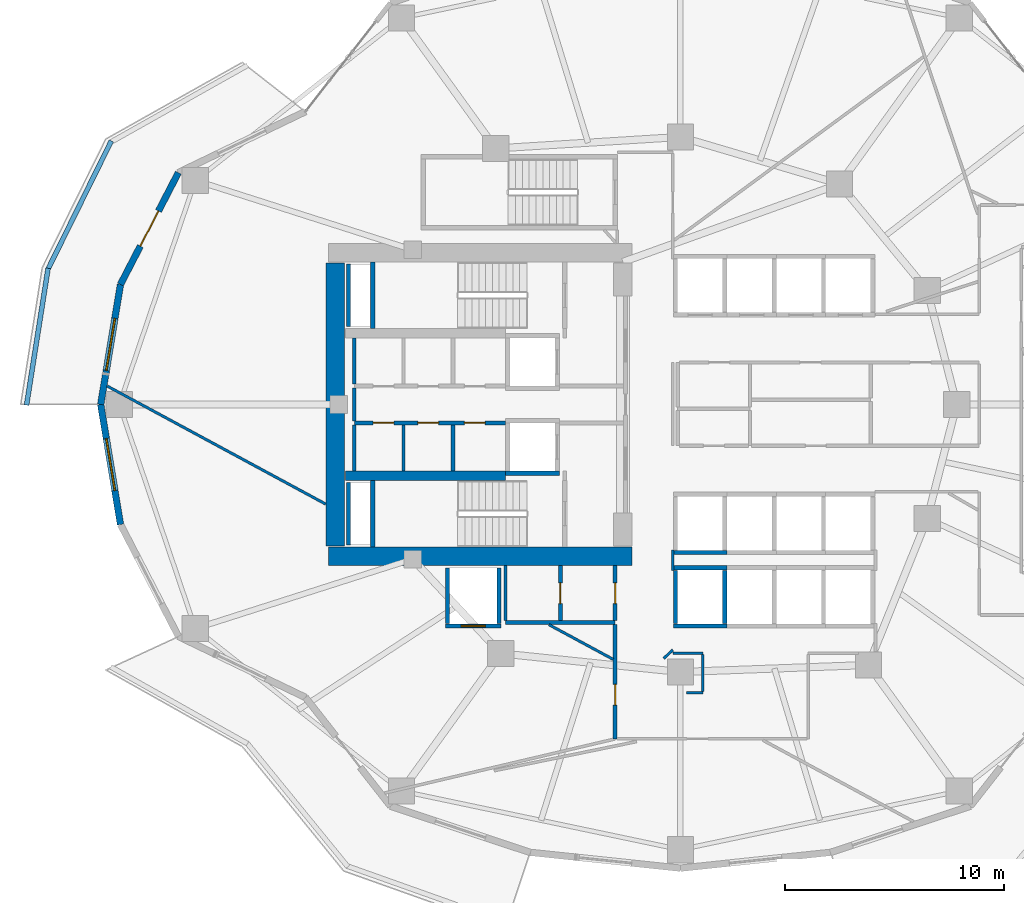
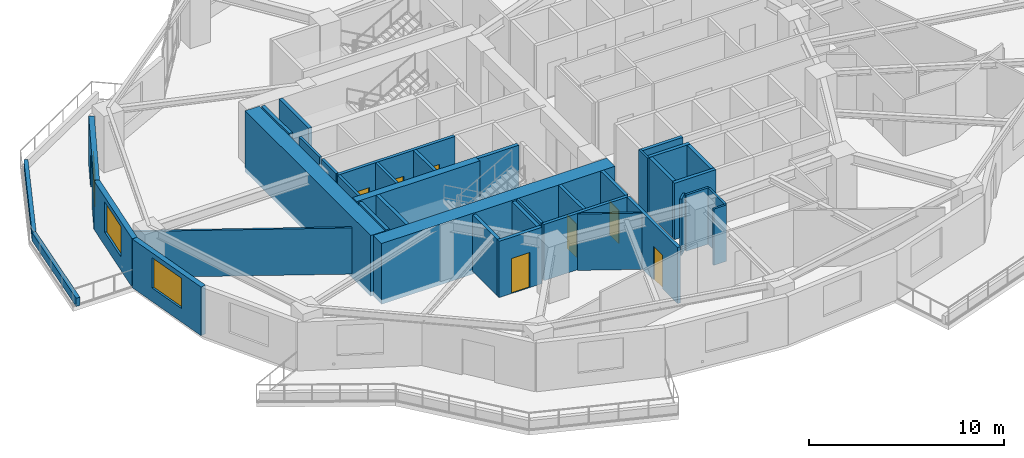
# One storey, part 5 of 12: 39 walls, 8 doors, 2 windows, 10 openings.
"""IFC4 building model written with IfcOpenShell, lengths in metres."""

import ifcopenshell
import ifcopenshell.guid

model = None  # the IFC model being written
_history = None  # IfcOwnerHistory: only IFC2X3 demands one
_inside = {}  # id of a spatial element -> (the spatial element, [elements in it])
_under = {}  # id of a project, library or spatial element -> (it, [spatial elements below it])
_declared = {}  # id of a project -> (the project, [libraries it declares])
_typed = {}  # id of a type object -> (the type object, [elements of that type])
_made_of = {}  # id of a material, layer set ... -> (it, [elements and type objects made of it])


def new_model(schema):
    """Start an empty IFC model of exactly this schema.

    Asked for "IFC4X3", IfcOpenShell would pick the latest addendum, in which some entities
    have other attributes; the version numbers below select the first issue.
    IFC2X3 requires an IfcOwnerHistory on every rooted entity: one is made here for all.
    """
    global model, _history
    if schema == "IFC4X3":
        model = ifcopenshell.file(schema_version=(4, 3, 0, 0))
    else:
        model = ifcopenshell.file(schema=schema)
    _inside.clear()
    _under.clear()
    _declared.clear()
    _typed.clear()
    _made_of.clear()
    _history = None
    if model.schema == "IFC2X3":
        org = make("IfcOrganization", Name="unknown")
        user = make(
            "IfcPersonAndOrganization",
            ThePerson=make("IfcPerson", FamilyName="unknown"),
            TheOrganization=org,
        )
        app = make(
            "IfcApplication",
            ApplicationDeveloper=org,
            Version="unknown",
            ApplicationFullName="unknown",
            ApplicationIdentifier="unknown",
        )
        _history = make(
            "IfcOwnerHistory",
            OwningUser=user,
            OwningApplication=app,
            ChangeAction="ADDED",
            CreationDate=0,
        )
    return model


def make(cls, **values):
    """One entity of the class cls with the attributes given. An attribute that is None is left unset."""
    return model.create_entity(
        cls, **{name: value for name, value in values.items() if value is not None}
    )


def rooted(cls, **values):
    """An entity with a GlobalId (a new one), such as an element, a storey or a relation."""
    return make(cls, GlobalId=ifcopenshell.guid.new(), OwnerHistory=_history, **values)


def si_unit(unit_type, name, prefix=None):
    """IfcSIUnit, for example si_unit("LENGTHUNIT", "METRE", prefix="MILLI")."""
    return make("IfcSIUnit", UnitType=unit_type, Prefix=prefix, Name=name)


def assignment(units):
    """IfcUnitAssignment: the units of a project."""
    return None if units is None else make("IfcUnitAssignment", Units=units)


def point(xyz):
    """IfcCartesianPoint."""
    return None if xyz is None else make("IfcCartesianPoint", Coordinates=xyz)


def direction(xyz):
    """IfcDirection."""
    return None if xyz is None else make("IfcDirection", DirectionRatios=xyz)


def frame(location, z_axis=None, x_axis=None):
    """IfcAxis2Placement3D, a coordinate frame: its origin and axes. An axis left out is left unset."""
    return make(
        "IfcAxis2Placement3D",
        Location=point(location),
        Axis=direction(z_axis),
        RefDirection=direction(x_axis),
    )


def frame_2d(location, x_axis=None):
    """IfcAxis2Placement2D, a coordinate frame in the plane: its origin and x axis."""
    return make(
        "IfcAxis2Placement2D", Location=point(location), RefDirection=direction(x_axis)
    )


def origin():
    """The frame at (0, 0, 0) with its axes left unset."""
    return frame((0.0, 0.0, 0.0))


def place(relative_to, where):
    """IfcLocalPlacement: puts the frame where relative to a parent placement (None: the world)."""
    return make(
        "IfcLocalPlacement", PlacementRelTo=relative_to, RelativePlacement=where
    )


def context(
    kind, dimensions, precision=None, world=None, true_north=None, identifier=None
):
    """IfcGeometricRepresentationContext, for example the 3D "Model" context."""
    return make(
        "IfcGeometricRepresentationContext",
        ContextIdentifier=identifier,
        ContextType=kind,
        CoordinateSpaceDimension=dimensions,
        Precision=precision,
        WorldCoordinateSystem=world,
        TrueNorth=true_north,
    )


def subcontext(parent, identifier, kind, view, scale=None):
    """IfcGeometricRepresentationSubContext, for example "Body" below "Model"."""
    return make(
        "IfcGeometricRepresentationSubContext",
        ContextIdentifier=identifier,
        ContextType=kind,
        ParentContext=parent,
        TargetScale=scale,
        TargetView=view,
    )


def project(units=None, contexts=None):
    """IfcProject with its units and contexts."""
    return rooted(
        "IfcProject",
        Name="project",
        RepresentationContexts=contexts,
        UnitsInContext=assignment(units),
    )


def spatial(cls, under=None, at=None, **own):
    """A site, building, storey or space (cls), placed at a placement, below another one or the project."""
    s = rooted(cls, ObjectPlacement=at, **own)
    if under is not None:
        _under.setdefault(under.id(), (under, []))[1].append(s)
    return s


def profile(cls, at=None, kind="AREA", **sizes):
    """A parametric profile (cls). Its sizes go by their IFC names, for example OverallWidth=200.0."""
    return make(cls, ProfileType=kind, Position=at, **sizes)


def rectangle(**sizes):
    """IfcRectangleProfileDef."""
    return profile("IfcRectangleProfileDef", **sizes)


def extrude(swept, where, along, depth):
    """IfcExtrudedAreaSolid: the profile swept, set in the frame where, extruded along a direction by depth."""
    return make(
        "IfcExtrudedAreaSolid",
        SweptArea=swept,
        Position=where,
        ExtrudedDirection=direction(along),
        Depth=depth,
    )


def shape(context_of_items, identifier, shape_type, items):
    """IfcShapeRepresentation: the items that make up one representation, for example the "Body"."""
    return make(
        "IfcShapeRepresentation",
        ContextOfItems=context_of_items,
        RepresentationIdentifier=identifier,
        RepresentationType=shape_type,
        Items=items,
    )


def material(Name=None, Category=None):
    """IfcMaterial."""
    return make("IfcMaterial", Name=Name, Category=Category)


def layer(
    of_material, thickness, ventilated=None, Name=None, Category=None, Priority=None
):
    """IfcMaterialLayer: one layer of a wall or slab, of a material (None: an air gap)."""
    return make(
        "IfcMaterialLayer",
        Material=of_material,
        LayerThickness=thickness,
        IsVentilated=ventilated,
        Name=Name,
        Category=Category,
        Priority=Priority,
    )


def layer_set(layers, Name=None):
    """IfcMaterialLayerSet."""
    return make("IfcMaterialLayerSet", MaterialLayers=layers, LayerSetName=Name)


def made_of(thing, what):
    """Note that an element or type object is made of a material, layer set ...; save() writes the relation."""
    if what is not None:
        _made_of.setdefault(what.id(), (what, []))[1].append(thing)
    return thing


def type_object(cls, material=None, **own):
    """A type object (cls), such as IfcWallType, which elements share."""
    return made_of(rooted(cls, **own), material)


def element(
    cls,
    number,
    at=None,
    inside=None,
    cuts=None,
    type_object=None,
    material=None,
    context=None,
    identifier="Body",
    shape_type=None,
    held_by="IfcProductDefinitionShape",
    body=None,
    shapes=None,
    **own,
):
    """One element of the class cls, such as IfcWall. Its Tag is "e" and its number.

    at: its placement. inside: the storey or other place that contains it. cuts: it is an
    opening in that element (IfcRelVoidsElement). A single representation is given by context,
    identifier, shape_type and body (its items); several are given by shapes. held_by: the class
    of the entity that holds the representations. save() writes the other relations.
    """
    e = rooted(cls, Tag="e%d" % number, ObjectPlacement=at, **own)
    if body is not None:
        shapes = [shape(context, identifier, shape_type, body)]
    if shapes is not None:
        e.Representation = make(held_by, Representations=shapes)
    if inside is not None:
        _inside.setdefault(inside.id(), (inside, []))[1].append(e)
    if cuts is not None:
        rooted(
            "IfcRelVoidsElement", RelatingBuildingElement=cuts, RelatedOpeningElement=e
        )
    if type_object is not None:
        _typed.setdefault(type_object.id(), (type_object, []))[1].append(e)
    return made_of(e, material)


def fill(opening, filler):
    """IfcRelFillsElement: the door or window that sits in an opening."""
    return rooted(
        "IfcRelFillsElement",
        RelatingOpeningElement=opening,
        RelatedBuildingElement=filler,
    )


def aggregate(whole, parts):
    """IfcRelAggregates: a whole, such as a stair, and the parts it consists of."""
    return rooted("IfcRelAggregates", RelatingObject=whole, RelatedObjects=parts)


def save(model, path):
    """Write the relations noted so far, then the file.

    IfcRelAggregates (storeys below a building ...), IfcRelContainedInSpatialStructure (elements
    in a storey), IfcRelDefinesByType, IfcRelAssociatesMaterial and IfcRelDeclares: one each for
    every whole, place, type object, material and project.
    """
    for whole, parts in _under.values():
        aggregate(whole, parts)
    for where, things in _inside.values():
        rooted(
            "IfcRelContainedInSpatialStructure",
            RelatedElements=things,
            RelatingStructure=where,
        )
    for kind, things in _typed.values():
        rooted("IfcRelDefinesByType", RelatedObjects=things, RelatingType=kind)
    for what, things in _made_of.values():
        rooted("IfcRelAssociatesMaterial", RelatedObjects=things, RelatingMaterial=what)
    for by, libraries in _declared.values():
        rooted("IfcRelDeclares", RelatingContext=by, RelatedDefinitions=libraries)
    model.write(path)


model = new_model("IFC4")

# Units and contexts
model_context = context("Model", 3, precision=1e-05, world=origin(), true_north=direction((0.0, 1.0)))
body_context = subcontext(model_context, "Body", "Model", "MODEL_VIEW")
ifc_project = project(units=[si_unit("LENGTHUNIT", "METRE"), si_unit("AREAUNIT", "SQUARE_METRE"), si_unit("VOLUMEUNIT", "CUBIC_METRE"), si_unit("PLANEANGLEUNIT", "RADIAN"), si_unit("MASSUNIT", "GRAM", prefix="KILO")], contexts=[model_context])

# Site, building, storey
site_placement = place(None, origin())
site = spatial("IfcSite", under=ifc_project, at=site_placement, CompositionType="ELEMENT")
building_placement = place(site_placement, origin())
building = spatial("IfcBuilding", under=site, at=building_placement, Name="Kolvaren Gate Tower and Convention Centre", CompositionType="ELEMENT")
storey_placement = place(building_placement, frame((0.0, 0.0, 91.949951171875)))
storey = spatial("IfcBuildingStorey", under=building, at=storey_placement, Name="L22", CompositionType="ELEMENT", Elevation=91.949951171875)

# Wall, openings, doors
ifc_material_1 = material(Name="Autoclaved Aerated Masonry Blockwork Class 4 (4.0 MPa)", Category="masonry")
ifc_layer_1 = layer(ifc_material_1, 0.179931640625)
ifc_layer_set_1 = layer_set([ifc_layer_1], Name="Autoclaved Aerated Masonry Blockwork Class 4 (4.0 MPa)")
wall_type_1 = type_object("IfcWallType", Name="ARCH-WL-COMP-180", PredefinedType="SOLIDWALL", material=ifc_layer_set_1)
wall_1_placement = place(storey_placement, frame((15.25, 26.159912109375, 0.0), z_axis=(0.0, 0.0, 1.0), x_axis=(1.0, 0.0, 0.0)))
wall_1 = element("IfcWall", 1, at=wall_1_placement, inside=storey, type_object=wall_type_1, Name="Interior Partition WL-L22-INT-005", PredefinedType="SOLIDWALL", context=body_context, shape_type="SweptSolid", body=[
    extrude(rectangle(XDim=6.89990234375, YDim=0.179931640625, at=frame_2d((3.449951171875, 0.0))), origin(), (0.0, 0.0, 1.0), 3.530029296875),
])
opening_1_placement = place(wall_1_placement, frame((5.02001953125, 0.0, 0.0)))
opening_1 = element("IfcOpeningElement", 2, at=opening_1_placement, cuts=wall_1, Name="Opening DR-01", PredefinedType="OPENING", context=body_context, shape_type="SweptSolid", body=[
    extrude(rectangle(XDim=0.949951171875, YDim=2.10009765625, at=frame_2d((0.47509765625, 1.050048828125))), frame((0.0, 0.099853515625, 0.0), z_axis=(0.0, -1.0, 0.0), x_axis=(1.0, 0.0, 0.0)), (0.0, 0.0, 1.0), 0.199951171875),
])
opening_2_placement = place(wall_1_placement, frame((0.85498046875, 0.0, 0.0)))
opening_2 = element("IfcOpeningElement", 3, at=opening_2_placement, cuts=wall_1, Name="Opening DR-01", PredefinedType="OPENING", context=body_context, shape_type="SweptSolid", body=[
    extrude(rectangle(XDim=0.949951171875, YDim=2.10009765625, at=frame_2d((0.47509765625, 1.050048828125))), frame((0.0, 0.099853515625, 0.0), z_axis=(0.0, -1.0, 0.0), x_axis=(1.0, 0.0, 0.0)), (0.0, 0.0, 1.0), 0.199951171875),
])
opening_3_placement = place(wall_1_placement, frame((2.89990234375, 0.0, 0.0)))
opening_3 = element("IfcOpeningElement", 4, at=opening_3_placement, cuts=wall_1, Name="Opening DR-01", PredefinedType="OPENING", context=body_context, shape_type="SweptSolid", body=[
    extrude(rectangle(XDim=0.949951171875, YDim=2.10009765625, at=frame_2d((0.47509765625, 1.050048828125))), frame((0.0, 0.099853515625, 0.0), z_axis=(0.0, -1.0, 0.0), x_axis=(1.0, 0.0, 0.0)), (0.0, 0.0, 1.0), 0.199951171875),
])
ifc_material_2 = material(Name="Painted Architectural Steelwork ASTM A500 Grade C 345 MPa", Category="steel")
door_type_1 = type_object("IfcDoorType", Name="ARCH-DR-RISER-950", OperationType="SINGLE_SWING_RIGHT", PredefinedType="DOOR", material=ifc_material_2)
door_1_placement = place(opening_1_placement, origin())
door_1 = element("IfcDoor", 5, at=door_1_placement, inside=storey, type_object=door_type_1, Name="Domestic Water Meter Closet Door", OperationType="SINGLE_SWING_RIGHT", OverallHeight=2.10009765625, OverallWidth=0.949951171875, PredefinedType="DOOR", context=body_context, shape_type="SweptSolid", body=[
    extrude(rectangle(XDim=0.949951171875, YDim=2.10009765625, at=frame_2d((0.47509765625, 1.050048828125))), frame((0.0, 0.02490234375, 0.0), z_axis=(0.0, -1.0, 0.0), x_axis=(1.0, 0.0, 0.0)), (0.0, 0.0, 1.0), 0.050048828125),
])
fill(opening_1, door_1)
door_2_placement = place(opening_2_placement, origin())
door_2 = element("IfcDoor", 6, at=door_2_placement, inside=storey, type_object=door_type_1, Name="Beverage Service Pantry Door", OperationType="SINGLE_SWING_LEFT", OverallHeight=2.10009765625, OverallWidth=0.949951171875, PredefinedType="DOOR", context=body_context, shape_type="SweptSolid", body=[
    extrude(rectangle(XDim=0.949951171875, YDim=2.10009765625, at=frame_2d((0.47509765625, 1.050048828125))), frame((0.0, 0.02490234375, 0.0), z_axis=(0.0, -1.0, 0.0), x_axis=(1.0, 0.0, 0.0)), (0.0, 0.0, 1.0), 0.050048828125),
])
fill(opening_2, door_2)
door_3_placement = place(opening_3_placement, origin())
door_3 = element("IfcDoor", 7, at=door_3_placement, inside=storey, type_object=door_type_1, Name="Archive Supply Closet Door", OperationType="SINGLE_SWING_RIGHT", OverallHeight=2.10009765625, OverallWidth=0.949951171875, PredefinedType="DOOR", context=body_context, shape_type="SweptSolid", body=[
    extrude(rectangle(XDim=0.949951171875, YDim=2.10009765625, at=frame_2d((0.47509765625, 1.050048828125))), frame((0.0, 0.02490234375, 0.0), z_axis=(0.0, -1.0, 0.0), x_axis=(1.0, 0.0, 0.0)), (0.0, 0.0, 1.0), 0.050048828125),
])
fill(opening_3, door_3)

# Walls
wall_2_placement = place(storey_placement, frame((19.75, 23.9619140625, 0.0), z_axis=(0.0, 0.0, 1.0), x_axis=(0.0, 1.0, 0.0)))
element("IfcWall", 8, at=wall_2_placement, inside=storey, type_object=wall_type_1, Name="Interior Partition WL-L22-INT-007", PredefinedType="SOLIDWALL", context=body_context, shape_type="SweptSolid", body=[
    extrude(rectangle(XDim=2.106201171875, YDim=0.179931640625, at=frame_2d((1.05322265625, 0.0))), origin(), (0.0, 0.0, 1.0), 3.530029296875),
])
wall_3_placement = place(storey_placement, frame((22.14990234375, 17.050048828125, 0.0), z_axis=(0.0, 0.0, 1.0), x_axis=(1.0, 0.0, 0.0)))
element("IfcWall", 9, at=wall_3_placement, inside=storey, type_object=wall_type_1, Name="Interior Partition WL-L22-INT-011", PredefinedType="SOLIDWALL", context=body_context, shape_type="SweptSolid", body=[
    extrude(rectangle(XDim=5.0, YDim=0.179931640625, at=frame_2d((2.5, 0.0))), origin(), (0.0, 0.0, 1.0), 3.530029296875),
])

# Wall, opening, door
wall_4_placement = place(storey_placement, frame((24.64990234375, 17.14208984375, 0.0), z_axis=(0.0, 0.0, 1.0), x_axis=(0.0, 1.0, 0.0)))
wall_4 = element("IfcWall", 10, at=wall_4_placement, inside=storey, type_object=wall_type_1, Name="Interior Partition WL-L22-INT-013", PredefinedType="SOLIDWALL", context=body_context, shape_type="SweptSolid", body=[
    extrude(rectangle(XDim=2.505859375, YDim=0.179931640625, at=frame_2d((1.2529296875, 0.0))), origin(), (0.0, 0.0, 1.0), 3.530029296875),
])
opening_4_placement = place(wall_4_placement, frame((0.778076171875, 0.0, 0.0)))
opening_4 = element("IfcOpeningElement", 11, at=opening_4_placement, cuts=wall_4, Name="Opening DR-01", PredefinedType="OPENING", context=body_context, shape_type="SweptSolid", body=[
    extrude(rectangle(XDim=0.949951171875, YDim=2.10009765625, at=frame_2d((0.47509765625, 1.050048828125))), frame((0.0, 0.099853515625, 0.0), z_axis=(0.0, -1.0, 0.0), x_axis=(1.0, 0.0, 0.0)), (0.0, 0.0, 1.0), 0.199951171875),
])
door_4_placement = place(opening_4_placement, origin())
door_4 = element("IfcDoor", 12, at=door_4_placement, inside=storey, type_object=door_type_1, Name="West Valet Store Door", OperationType="SINGLE_SWING_RIGHT", OverallHeight=2.10009765625, OverallWidth=0.949951171875, PredefinedType="DOOR", context=body_context, shape_type="SweptSolid", body=[
    extrude(rectangle(XDim=0.949951171875, YDim=2.10009765625, at=frame_2d((0.47509765625, 1.050048828125))), frame((0.0, 0.02490234375, 0.0), z_axis=(0.0, -1.0, 0.0), x_axis=(1.0, 0.0, 0.0)), (0.0, 0.0, 1.0), 0.050048828125),
])
fill(opening_4, door_4)

wall_5_placement = place(storey_placement, frame((27.14990234375, 11.75, 0.0), z_axis=(0.0, 0.0, 1.0), x_axis=(0.0, 1.0, 0.0)))
wall_5 = element("IfcWall", 13, at=wall_5_placement, inside=storey, type_object=wall_type_1, Name="Interior Partition WL-L22-INT-014", PredefinedType="SOLIDWALL", context=body_context, shape_type="SweptSolid", body=[
    extrude(rectangle(XDim=5.2080078125, YDim=0.179931640625, at=frame_2d((2.60400390625, 0.0))), origin(), (0.0, 0.0, 1.0), 3.530029296875),
])
opening_5_placement = place(wall_5_placement, frame((1.535400390625, 0.0, 0.0)))
opening_5 = element("IfcOpeningElement", 14, at=opening_5_placement, cuts=wall_5, Name="Opening DR-01", PredefinedType="OPENING", context=body_context, shape_type="SweptSolid", body=[
    extrude(rectangle(XDim=0.949951171875, YDim=2.10009765625, at=frame_2d((0.47509765625, 1.050048828125))), frame((0.0, 0.099853515625, 0.0), z_axis=(0.0, -1.0, 0.0), x_axis=(1.0, 0.0, 0.0)), (0.0, 0.0, 1.0), 0.199951171875),
])
door_5_placement = place(opening_5_placement, origin())
door_5 = element("IfcDoor", 15, at=door_5_placement, inside=storey, type_object=door_type_1, Name="Conference and Training Seminar Room Door", OperationType="SINGLE_SWING_RIGHT", OverallHeight=2.10009765625, OverallWidth=0.949951171875, PredefinedType="DOOR", context=body_context, shape_type="SweptSolid", body=[
    extrude(rectangle(XDim=0.949951171875, YDim=2.10009765625, at=frame_2d((0.47509765625, 1.050048828125))), frame((0.0, 0.02490234375, 0.0), z_axis=(0.0, -1.0, 0.0), x_axis=(1.0, 0.0, 0.0)), (0.0, 0.0, 1.0), 0.050048828125),
])
fill(opening_5, door_5)

wall_6_placement = place(storey_placement, frame((27.14990234375, 17.14208984375, 0.0), z_axis=(0.0, 0.0, 1.0), x_axis=(0.0, 1.0, 0.0)))
wall_6 = element("IfcWall", 16, at=wall_6_placement, inside=storey, type_object=wall_type_1, Name="Interior Partition WL-L22-INT-014 (2)", PredefinedType="SOLIDWALL", context=body_context, shape_type="SweptSolid", body=[
    extrude(rectangle(XDim=2.505859375, YDim=0.179931640625, at=frame_2d((1.2529296875, 0.0))), origin(), (0.0, 0.0, 1.0), 3.530029296875),
])
opening_6_placement = place(wall_6_placement, frame((0.778076171875, 0.0, 0.0)))
opening_6 = element("IfcOpeningElement", 17, at=opening_6_placement, cuts=wall_6, Name="Opening DR-01", PredefinedType="OPENING", context=body_context, shape_type="SweptSolid", body=[
    extrude(rectangle(XDim=0.949951171875, YDim=2.10009765625, at=frame_2d((0.47509765625, 1.050048828125))), frame((0.0, 0.099853515625, 0.0), z_axis=(0.0, -1.0, 0.0), x_axis=(1.0, 0.0, 0.0)), (0.0, 0.0, 1.0), 0.199951171875),
])
door_6_placement = place(opening_6_placement, origin())
door_6 = element("IfcDoor", 18, at=door_6_placement, inside=storey, type_object=door_type_1, Name="Metering Switch Room Door", OperationType="SINGLE_SWING_LEFT", OverallHeight=2.10009765625, OverallWidth=0.949951171875, PredefinedType="DOOR", context=body_context, shape_type="SweptSolid", body=[
    extrude(rectangle(XDim=0.949951171875, YDim=2.10009765625, at=frame_2d((0.47509765625, 1.050048828125))), frame((0.0, 0.02490234375, 0.0), z_axis=(0.0, -1.0, 0.0), x_axis=(1.0, 0.0, 0.0)), (0.0, 0.0, 1.0), 0.050048828125),
])
fill(opening_6, door_6)

# Walls
ifc_material_3 = material(Name="Fire-Rated Acoustic Gypsum Stud Partition", Category="gypsum")
ifc_layer_2 = layer(ifc_material_3, 0.1201171875)
ifc_layer_set_2 = layer_set([ifc_layer_2], Name="Fire-Rated Acoustic Gypsum Stud Partition")
wall_type_2 = type_object("IfcWallType", Name="ARCH-WL-PART-120", PredefinedType="PARTITIONING", material=ifc_layer_set_2)
wall_7_placement = place(storey_placement, frame((29.780029296875, 15.64990234375, 0.0), z_axis=(0.0, 0.0, 1.0), x_axis=(1.0, 0.0, 0.0)))
element("IfcWall", 19, at=wall_7_placement, inside=storey, type_object=wall_type_2, Name="Interior Partition WL-L22-INT-022", PredefinedType="PARTITIONING", context=body_context, shape_type="SweptSolid", body=[
    extrude(rectangle(XDim=1.369873046875, YDim=0.1201171875, at=frame_2d((0.68505859375, 0.0))), origin(), (0.0, 0.0, 1.0), 3.530029296875),
])
wall_8_placement = place(storey_placement, frame((29.780029296875, 19.43994140625, 0.0), z_axis=(0.0, 0.0, 1.0), x_axis=(0.0, 1.0, 0.0)))
element("IfcWall", 20, at=wall_8_placement, inside=storey, type_object=wall_type_2, Name="Interior Partition WL-L22-INT-028", PredefinedType="PARTITIONING", context=body_context, shape_type="SweptSolid", body=[
    extrude(rectangle(XDim=0.920166015625, YDim=0.1201171875, at=frame_2d((0.4599609375, 0.0))), origin(), (0.0, 0.0, 1.0), 3.530029296875),
])
wall_9_placement = place(storey_placement, frame((29.366943359375, 15.422119140625, 0.0), z_axis=(0.0, 0.0, 1.0), x_axis=(0.730667420492, 0.682733564893, 0.0)))
element("IfcWall", 21, at=wall_9_placement, inside=storey, type_object=wall_type_2, Name="Interior Partition WL-L22-INT-045", PredefinedType="PARTITIONING", context=body_context, shape_type="SweptSolid", body=[
    extrude(rectangle(XDim=0.5654296875, YDim=0.1201171875, at=frame_2d((0.28271484375, 0.0))), origin(), (0.0, 0.0, 1.0), 3.530029296875),
])
wall_10_placement = place(storey_placement, frame((30.39111328125, 13.85009765625, 0.0), z_axis=(0.0, 0.0, 1.0), x_axis=(1.0, 0.0, 0.0)))
element("IfcWall", 22, at=wall_10_placement, inside=storey, type_object=wall_type_2, Name="Interior Partition WL-L22-INT-046", PredefinedType="PARTITIONING", context=body_context, shape_type="SweptSolid", body=[
    extrude(rectangle(XDim=0.7587890625, YDim=0.1201171875, at=frame_2d((0.37939453125, 0.0))), origin(), (0.0, 0.0, 1.0), 3.530029296875),
])
wall_11_placement = place(storey_placement, frame((31.14990234375, 13.912109375, 0.0), z_axis=(0.0, 0.0, 1.0), x_axis=(0.0, 1.0, 0.0)))
element("IfcWall", 23, at=wall_11_placement, inside=storey, type_object=wall_type_2, Name="Interior Partition WL-L22-INT-047", PredefinedType="PARTITIONING", context=body_context, shape_type="SweptSolid", body=[
    extrude(rectangle(XDim=1.67578125, YDim=0.1201171875, at=frame_2d((0.837890625, 0.0))), origin(), (0.0, 0.0, 1.0), 3.530029296875),
])
wall_12_placement = place(storey_placement, frame((3.97998046875, 27.841796875, 0.0), z_axis=(0.0, 0.0, 1.0), x_axis=(0.87986629228, -0.475221324974, 0.0)))
element("IfcWall", 24, at=wall_12_placement, inside=storey, type_object=wall_type_2, Name="Interior Partition WL-L22-INT-048", PredefinedType="PARTITIONING", context=body_context, shape_type="SweptSolid", body=[
    extrude(rectangle(XDim=11.3291015625, YDim=0.1201171875, at=frame_2d((5.66455078125, 0.0))), origin(), (0.0, 0.0, 1.0), 2.89404296875),
])
wall_13_placement = place(storey_placement, frame((24.131591796875, 16.9580078125, 0.0), z_axis=(0.0, 0.0, 1.0), x_axis=(0.879874093471, -0.475206880882, 0.0)))
element("IfcWall", 25, at=wall_13_placement, inside=storey, type_object=wall_type_2, Name="Interior Partition WL-L22-INT-049", PredefinedType="PARTITIONING", context=body_context, shape_type="SweptSolid", body=[
    extrude(rectangle(XDim=3.326171875, YDim=0.1201171875, at=frame_2d((1.6630859375, 0.0))), origin(), (0.0, 0.0, 1.0), 3.530029296875),
])
ifc_material_4 = material(Name="Piedmont Cream Honed Limestone Cladding", Category="masonry")
ifc_layer_3 = layer(ifc_material_4, 0.219970703125)
ifc_layer_set_3 = layer_set([ifc_layer_3], Name="Piedmont Cream Honed Limestone Cladding")
wall_type_3 = type_object("IfcWallType", Name="ARCH-WL-PLANTER-220", PredefinedType="PARAPET", material=ifc_layer_set_3)
wall_14_placement = place(storey_placement, frame((1.275390625, 33.153076171875, 0.0), z_axis=(0.0, 0.0, 1.0), x_axis=(0.442686636348, 0.89667638644, 0.0)))
element("IfcWall", 26, at=wall_14_placement, inside=storey, type_object=wall_type_3, Name="Vertical-Forest Balcony Stone Planter Kerb PK-L22-2.2", PredefinedType="PARAPET", context=body_context, shape_type="SweptSolid", body=[
    extrude(rectangle(XDim=6.544677734375, YDim=0.219970703125, at=frame_2d((3.2724609375, 0.0))), origin(), (0.0, 0.0, 1.0), 0.52001953125),
])
wall_15_placement = place(storey_placement, frame((0.305908203125, 26.970703125, 0.0), z_axis=(0.0, 0.0, 1.0), x_axis=(0.15545655238, 0.987842730561, 0.0)))
element("IfcWall", 27, at=wall_15_placement, inside=storey, type_object=wall_type_3, Name="Vertical-Forest Balcony Stone Planter Kerb PK-L22-2.3", PredefinedType="PARAPET", context=body_context, shape_type="SweptSolid", body=[
    extrude(rectangle(XDim=6.318115234375, YDim=0.219970703125, at=frame_2d((3.1591796875, 0.0))), origin(), (0.0, 0.0, 1.0), 0.52001953125),
])
ifc_layer_4 = layer(ifc_material_1, 0.199951171875)
ifc_layer_set_4 = layer_set([ifc_layer_4], Name="Autoclaved Aerated Masonry Blockwork Class 4 (4.0 MPa)")
wall_type_4 = type_object("IfcWallType", Name="ARCH-WL-SHAFT-200", PredefinedType="SOLIDWALL", material=ifc_layer_set_4)
wall_16_placement = place(storey_placement, frame((22.14990234375, 23.860107421875, 0.0), z_axis=(0.0, 0.0, 1.0), x_axis=(1.0, 0.0, 0.0)))
element("IfcWall", 28, at=wall_16_placement, inside=storey, type_object=wall_type_4, Name="Elevator FF-02 L22 Fire Shaft Wall S", PredefinedType="SOLIDWALL", context=body_context, shape_type="SweptSolid", body=[
    extrude(rectangle(XDim=2.4501953125, YDim=0.199951171875, at=frame_2d((1.22509765625, 0.0))), origin(), (0.0, 0.0, 1.0), 3.530029296875),
])

# Wall, opening, door
wall_17_placement = place(storey_placement, frame((19.39990234375, 16.89990234375, 0.0), z_axis=(0.0, 0.0, 1.0), x_axis=(1.0, 0.0, 0.0)))
wall_17 = element("IfcWall", 29, at=wall_17_placement, inside=storey, type_object=wall_type_4, Name="Elevator SV-01 L22 Fire Shaft Wall S", PredefinedType="SOLIDWALL", context=body_context, shape_type="SweptSolid", body=[
    extrude(rectangle(XDim=2.550048828125, YDim=0.199951171875, at=frame_2d((1.27490234375, 0.0))), origin(), (0.0, 0.0, 1.0), 3.530029296875),
])
opening_7_placement = place(wall_17_placement, frame((0.72509765625, 0.0, 0.0)))
opening_7 = element("IfcOpeningElement", 30, at=opening_7_placement, cuts=wall_17, Name="Opening LD", PredefinedType="OPENING", context=body_context, shape_type="SweptSolid", body=[
    extrude(rectangle(XDim=1.10009765625, YDim=2.199951171875, at=frame_2d((0.550048828125, 1.10009765625))), frame((0.0, 0.10986328125, 0.0), z_axis=(0.0, -1.0, 0.0), x_axis=(1.0, 0.0, 0.0)), (0.0, 0.0, 1.0), 0.219970703125),
])
ifc_material_5 = material(Name="Brushed Stainless Steel Grade 316L", Category="steel")
door_type_2 = type_object("IfcDoorType", Name="ARCH-DR-LIFT-1100", OperationType="SLIDING_TO_LEFT", PredefinedType="DOOR", material=ifc_material_5)
door_7_placement = place(opening_7_placement, origin())
door_7 = element("IfcDoor", 31, at=door_7_placement, inside=storey, type_object=door_type_2, Name="Elevator SV-01 L22 Sliding Landing Door", OperationType="SLIDING_TO_LEFT", OverallHeight=2.199951171875, OverallWidth=1.10009765625, PredefinedType="DOOR", context=body_context, shape_type="SweptSolid", body=[
    extrude(rectangle(XDim=1.10009765625, YDim=2.199951171875, at=frame_2d((0.550048828125, 1.10009765625))), frame((0.0, 0.02490234375, 0.0), z_axis=(0.0, -1.0, 0.0), x_axis=(1.0, 0.0, 0.0)), (0.0, 0.0, 1.0), 0.050048828125),
])
fill(opening_7, door_7)

# Walls
for number, where, z_axis, x_axis, name in (
    (32, (19.5, 17.010009765625, 0.0), (0.0, 0.0, 1.0), (0.0, 1.0, 0.0), "Elevator SV-01 L22 Fire Shaft Wall W"),
    (33, (21.85009765625, 17.010009765625, 0.0), (0.0, 0.0, 1.0), (0.0, 1.0, 0.0), "Elevator SV-01 L22 Fire Shaft Wall E"),
):
    element("IfcWall", number, at=place(storey_placement, frame(where, z_axis=z_axis, x_axis=x_axis)), inside=storey, type_object=wall_type_4, Name=name, PredefinedType="SOLIDWALL", context=body_context, shape_type="SweptSolid", body=[
        extrude(rectangle(XDim=2.530029296875, YDim=0.199951171875, at=frame_2d((1.26513671875, 0.0))), origin(), (0.0, 0.0, 1.0), 3.530029296875),
    ])
for number, where, z_axis, x_axis, name in (
    (34, (29.800048828125, 19.550048828125, 0.0), (0.0, 0.0, 1.0), (1.0, 0.0, 0.0), "Elevator PL-05 L22 Fire Shaft Wall N"),
    (35, (29.800048828125, 16.89990234375, 0.0), (0.0, 0.0, 1.0), (1.0, 0.0, 0.0), "Elevator PL-05 L22 Fire Shaft Wall S"),
):
    element("IfcWall", number, at=place(storey_placement, frame(where, z_axis=z_axis, x_axis=x_axis)), inside=storey, type_object=wall_type_4, Name=name, PredefinedType="SOLIDWALL", context=body_context, shape_type="SweptSolid", body=[
        extrude(rectangle(XDim=2.449951171875, YDim=0.199951171875, at=frame_2d((1.22509765625, 0.0))), origin(), (0.0, 0.0, 1.0), 3.530029296875),
    ])
for number, where, z_axis, x_axis, name in (
    (36, (29.89990234375, 17.010009765625, 0.0), (0.0, 0.0, 1.0), (0.0, 1.0, 0.0), "Elevator PL-05 L22 Fire Shaft Wall W"),
    (37, (32.14990234375, 17.010009765625, 0.0), (0.0, 0.0, 1.0), (0.0, 1.0, 0.0), "Elevator PL-05 L22 Fire Shaft Wall E"),
):
    element("IfcWall", number, at=place(storey_placement, frame(where, z_axis=z_axis, x_axis=x_axis)), inside=storey, type_object=wall_type_4, Name=name, PredefinedType="SOLIDWALL", context=body_context, shape_type="SweptSolid", body=[
        extrude(rectangle(XDim=2.429931640625, YDim=0.199951171875, at=frame_2d((1.21484375, 0.0))), origin(), (0.0, 0.0, 1.0), 3.530029296875),
    ])
wall_18_placement = place(storey_placement, frame((29.800048828125, 20.25, 0.0), z_axis=(0.0, 0.0, 1.0), x_axis=(1.0, 0.0, 0.0)))
element("IfcWall", 38, at=wall_18_placement, inside=storey, type_object=wall_type_4, Name="Elevator PL-09 L22 Fire Shaft Wall S", PredefinedType="SOLIDWALL", context=body_context, shape_type="SweptSolid", body=[
    extrude(rectangle(XDim=2.449951171875, YDim=0.199951171875, at=frame_2d((1.22509765625, 0.0))), origin(), (0.0, 0.0, 1.0), 3.530029296875),
])
for number, where, z_axis, x_axis, name in (
    (39, (14.989990234375, 30.550048828125, 0.0), (0.0, 0.0, 1.0), (0.0, 1.0, 0.0), "Vertical Shaft HVR L22 EI-120 Enclosure Wall W"),
    (40, (14.989990234375, 20.60009765625, 0.0), (0.0, 0.0, 1.0), (0.0, 1.0, 0.0), "Vertical Shaft MPR L22 EI-120 Enclosure Wall W"),
):
    element("IfcWall", number, at=place(storey_placement, frame(where, z_axis=z_axis, x_axis=x_axis)), inside=storey, type_object=wall_type_4, Name=name, PredefinedType="SOLIDWALL", context=body_context, shape_type="SweptSolid", body=[
        extrude(rectangle(XDim=2.849853515625, YDim=0.199951171875, at=frame_2d((1.4248046875, 0.0))), origin(), (0.0, 0.0, 1.0), 3.530029296875),
    ])

# Wall, opening, door
ifc_layer_5 = layer(ifc_material_4, 0.300048828125)
ifc_layer_set_5 = layer_set([ifc_layer_5], Name="Piedmont Cream Honed Limestone Cladding")
wall_type_5 = type_object("IfcWallType", Name="ARCH-WL-STONE-300", PredefinedType="SOLIDWALL", material=ifc_layer_set_5)
wall_19_placement = place(storey_placement, frame((4.58837890625, 32.47412109375, 0.0), z_axis=(0.0, 0.0, 1.0), x_axis=(0.459800981414, 0.888021991558, 0.0)))
wall_19 = element("IfcWall", 41, at=wall_19_placement, inside=storey, type_object=wall_type_5, Name="Tower L22 Honed Stone Spandrel Wall EW-10", PredefinedType="SOLIDWALL", context=body_context, shape_type="SweptSolid", body=[
    extrude(rectangle(XDim=5.744140625, YDim=0.300048828125, at=frame_2d((2.8720703125, 0.0))), origin(), (0.0, 0.0, 1.0), 3.052978515625),
])
opening_8_placement = place(wall_19_placement, frame((1.971923828125, 0.0, 0.0)))
opening_8 = element("IfcOpeningElement", 42, at=opening_8_placement, cuts=wall_19, Name="Opening DB-01", PredefinedType="OPENING", context=body_context, shape_type="SweptSolid", body=[
    extrude(rectangle(XDim=1.800048828125, YDim=2.25, at=frame_2d((0.89990234375, 1.125))), frame((0.0, 0.159912109375, 0.0), z_axis=(0.0, -1.0, 0.0), x_axis=(1.0, 0.0, 0.0)), (0.0, 0.0, 1.0), 0.320068359375),
])
ifc_material_6 = material(Name="Anodized Architectural Aluminium Alloy 6063-T6", Category="aluminium")
door_type_3 = type_object("IfcDoorType", Name="ARCH-DR-BALC-1800", OperationType="SLIDING_TO_LEFT", PredefinedType="DOOR", material=ifc_material_6)
door_8_placement = place(opening_8_placement, origin())
door_8 = element("IfcDoor", 43, at=door_8_placement, inside=storey, type_object=door_type_3, Name="Planted Sky Terrace Access Door DB-L22-10", OperationType="SLIDING_TO_LEFT", OverallHeight=2.25, OverallWidth=1.800048828125, PredefinedType="DOOR", context=body_context, shape_type="SweptSolid", body=[
    extrude(rectangle(XDim=1.800048828125, YDim=2.25, at=frame_2d((0.89990234375, 1.125))), frame((0.0, 0.02490234375, 0.0), z_axis=(0.0, -1.0, 0.0), x_axis=(1.0, 0.0, 0.0)), (0.0, 0.0, 1.0), 0.050048828125),
])
fill(opening_8, door_8)

# Wall, opening, window
wall_20_placement = place(storey_placement, frame((3.6875, 27.0, 0.0), z_axis=(0.0, 0.0, 1.0), x_axis=(0.162386212206, 0.986727276447, 0.0)))
wall_20 = element("IfcWall", 44, at=wall_20_placement, inside=storey, type_object=wall_type_5, Name="Tower L22 Honed Stone Spandrel Wall EW-11", PredefinedType="SOLIDWALL", context=body_context, shape_type="SweptSolid", body=[
    extrude(rectangle(XDim=5.5478515625, YDim=0.300048828125, at=frame_2d((2.77392578125, 0.0))), origin(), (0.0, 0.0, 1.0), 3.052978515625),
])
opening_9_placement = place(wall_20_placement, frame((1.573974609375, 0.0, 0.85009765625)))
opening_9 = element("IfcOpeningElement", 45, at=opening_9_placement, cuts=wall_20, Name="Opening W-01", PredefinedType="OPENING", context=body_context, shape_type="SweptSolid", body=[
    extrude(rectangle(XDim=2.39990234375, YDim=1.89990234375, at=frame_2d((1.199951171875, 0.949951171875))), frame((0.0, 0.159912109375, 0.0), z_axis=(0.0, -1.0, 0.0), x_axis=(1.0, 0.0, 0.0)), (0.0, 0.0, 1.0), 0.320068359375),
])
ifc_material_7 = material(Name="Low-E Triple Insulated Glazing Unit 44 mm", Category="glass")
window_type = type_object("IfcWindowType", Name="ARCH-WN-OFF-2400", PartitioningType="SINGLE_PANEL", PredefinedType="WINDOW", material=ifc_material_7)
window_1_placement = place(opening_9_placement, origin())
window_1 = element("IfcWindow", 46, at=window_1_placement, inside=storey, type_object=window_type, Name="Tower L22 Punched Stone Facade Window W-11", OverallHeight=1.89990234375, OverallWidth=2.39990234375, PartitioningType="SINGLE_PANEL", PredefinedType="WINDOW", context=body_context, shape_type="SweptSolid", body=[
    extrude(rectangle(XDim=2.39990234375, YDim=1.89990234375, at=frame_2d((1.199951171875, 0.949951171875))), frame((0.0, 0.030029296875, 0.0), z_axis=(0.0, -1.0, 0.0), x_axis=(1.0, 0.0, 0.0)), (0.0, 0.0, 1.0), 0.06005859375),
])
fill(opening_9, window_1)

wall_21_placement = place(storey_placement, frame((3.6875, 27.0, 0.0), z_axis=(0.0, 0.0, 1.0), x_axis=(0.162386212206, -0.986727276447, 0.0)))
wall_21 = element("IfcWall", 47, at=wall_21_placement, inside=storey, type_object=wall_type_5, Name="Tower L22 Honed Stone Spandrel Wall EW-12", PredefinedType="SOLIDWALL", context=body_context, shape_type="SweptSolid", body=[
    extrude(rectangle(XDim=5.5478515625, YDim=0.300048828125, at=frame_2d((2.77392578125, 0.0))), origin(), (0.0, 0.0, 1.0), 3.052978515625),
])
opening_10_placement = place(wall_21_placement, frame((1.573974609375, 0.0, 0.85009765625)))
opening_10 = element("IfcOpeningElement", 48, at=opening_10_placement, cuts=wall_21, Name="Opening W-01", PredefinedType="OPENING", context=body_context, shape_type="SweptSolid", body=[
    extrude(rectangle(XDim=2.39990234375, YDim=1.89990234375, at=frame_2d((1.199951171875, 0.949951171875))), frame((0.0, 0.159912109375, 0.0), z_axis=(0.0, -1.0, 0.0), x_axis=(1.0, 0.0, 0.0)), (0.0, 0.0, 1.0), 0.320068359375),
])
window_2_placement = place(opening_10_placement, origin())
window_2 = element("IfcWindow", 49, at=window_2_placement, inside=storey, type_object=window_type, Name="Tower L22 Punched Stone Facade Window W-12", OverallHeight=1.89990234375, OverallWidth=2.39990234375, PartitioningType="SINGLE_PANEL", PredefinedType="WINDOW", context=body_context, shape_type="SweptSolid", body=[
    extrude(rectangle(XDim=2.39990234375, YDim=1.89990234375, at=frame_2d((1.199951171875, 0.949951171875))), frame((0.0, 0.030029296875, 0.0), z_axis=(0.0, -1.0, 0.0), x_axis=(1.0, 0.0, 0.0)), (0.0, 0.0, 1.0), 0.06005859375),
])
fill(opening_10, window_2)

# Walls
ifc_material_8 = material(Name="Moisture-Resistant Cement-Board Acoustic Partition", Category="gypsum")
ifc_layer_6 = layer(ifc_material_8, 0.14990234375)
ifc_layer_set_6 = layer_set([ifc_layer_6], Name="Moisture-Resistant Cement-Board Acoustic Partition")
wall_type_6 = type_object("IfcWallType", Name="ARCH-WL-WET-150", PredefinedType="PARTITIONING", material=ifc_layer_set_6)
wall_22_placement = place(storey_placement, frame((15.25, 23.9619140625, 0.0), z_axis=(0.0, 0.0, 1.0), x_axis=(0.0, 1.0, 0.0)))
element("IfcWall", 50, at=wall_22_placement, inside=storey, type_object=wall_type_6, Name="Interior Partition WL-L22-INT-006", PredefinedType="PARTITIONING", context=body_context, shape_type="SweptSolid", body=[
    extrude(rectangle(XDim=2.106201171875, YDim=0.14990234375, at=frame_2d((1.05322265625, 0.0))), origin(), (0.0, 0.0, 1.0), 3.530029296875),
])
wall_23_placement = place(storey_placement, frame((15.25, 26.251953125, 0.0), z_axis=(0.0, 0.0, 1.0), x_axis=(0.0, 1.0, 0.0)))
element("IfcWall", 51, at=wall_23_placement, inside=storey, type_object=wall_type_6, Name="Interior Partition WL-L22-INT-006 (2)", PredefinedType="PARTITIONING", context=body_context, shape_type="SweptSolid", body=[
    extrude(rectangle(XDim=1.49609375, YDim=0.14990234375, at=frame_2d((0.748046875, 0.0))), origin(), (0.0, 0.0, 1.0), 3.530029296875),
])
for number, where, z_axis, x_axis, name in (
    (52, (15.25, 27.931884765625, 0.0), (0.0, 0.0, 1.0), (0.0, 1.0, 0.0), "Interior Partition WL-L22-INT-006 (3)"),
    (53, (17.5, 23.9619140625, 0.0), (0.0, 0.0, 1.0), (0.0, 1.0, 0.0), "Interior Partition WL-L22-INT-009"),
):
    element("IfcWall", number, at=place(storey_placement, frame(where, z_axis=z_axis, x_axis=x_axis)), inside=storey, type_object=wall_type_6, Name=name, PredefinedType="PARTITIONING", context=body_context, shape_type="SweptSolid", body=[
        extrude(rectangle(XDim=2.106201171875, YDim=0.14990234375, at=frame_2d((1.05322265625, 0.0))), origin(), (0.0, 0.0, 1.0), 3.530029296875),
    ])
wall_24_placement = place(storey_placement, frame((22.14990234375, 17.14208984375, 0.0), z_axis=(0.0, 0.0, 1.0), x_axis=(0.0, 1.0, 0.0)))
element("IfcWall", 54, at=wall_24_placement, inside=storey, type_object=wall_type_6, Name="Interior Partition WL-L22-INT-012", PredefinedType="PARTITIONING", context=body_context, shape_type="SweptSolid", body=[
    extrude(rectangle(XDim=2.505859375, YDim=0.14990234375, at=frame_2d((1.2529296875, 0.0))), origin(), (0.0, 0.0, 1.0), 3.530029296875),
])
ifc_material_9 = material(Name="Concrete C50/60", Category="concrete")
ifc_layer_7 = layer(ifc_material_9, 0.419921875)
ifc_layer_set_7 = layer_set([ifc_layer_7], Name="Concrete C50/60")
wall_type_7 = type_object("IfcWallType", Name="STR-WL-CONV-420", PredefinedType="SHEAR", material=ifc_layer_set_7)
wall_25_placement = place(storey_placement, frame((14.85009765625, 23.75, -0.280029296875), z_axis=(0.0, 0.0, 1.0), x_axis=(1.0, 0.0, 0.0)))
element("IfcWall", 55, at=wall_25_placement, inside=storey, type_object=wall_type_7, Name="Tower L22 Offset Core Shear Wall WS", PredefinedType="SHEAR", context=body_context, shape_type="SweptSolid", body=[
    extrude(rectangle(XDim=7.2998046875, YDim=0.419921875, at=frame_2d((3.64990234375, 0.0))), origin(), (0.0, 0.0, 1.0), 3.81005859375),
])
ifc_material_10 = material(Name="Concrete C70/85", Category="concrete")
ifc_layer_8 = layer(ifc_material_10, 0.85009765625)
ifc_layer_set_8 = layer_set([ifc_layer_8], Name="Concrete C70/85")
wall_type_8 = type_object("IfcWallType", Name="STR-WL-CORE-850", PredefinedType="SHEAR", material=ifc_layer_set_8)
wall_26_placement = place(storey_placement, frame((14.074951171875, 20.074951171875, -0.280029296875), z_axis=(0.0, 0.0, 1.0), x_axis=(1.0, 0.0, 0.0)))
element("IfcWall", 56, at=wall_26_placement, inside=storey, type_object=wall_type_8, Name="Tower L22 Offset Core Shear Wall S", PredefinedType="SHEAR", context=body_context, shape_type="SweptSolid", body=[
    extrude(rectangle(XDim=13.85009765625, YDim=0.85009765625, at=frame_2d((6.925048828125, 0.0))), origin(), (0.0, 0.0, 1.0), 3.81005859375),
])
wall_27_placement = place(storey_placement, frame((14.375, 20.550048828125, -0.280029296875), z_axis=(0.0, 0.0, 1.0), x_axis=(0.0, 1.0, 0.0)))
element("IfcWall", 57, at=wall_27_placement, inside=storey, type_object=wall_type_8, Name="Tower L22 Offset Core Shear Wall W", PredefinedType="SHEAR", context=body_context, shape_type="SweptSolid", body=[
    extrude(rectangle(XDim=12.89990234375, YDim=0.85009765625, at=frame_2d((6.449951171875, 0.0))), origin(), (0.0, 0.0, 1.0), 3.81005859375),
])
ifc_layer_9 = layer(ifc_material_9, 0.199951171875)
ifc_layer_set_9 = layer_set([ifc_layer_9], Name="Concrete C50/60")
wall_type_9 = type_object("IfcWallType", Name="STR-WL-SHAFT-200", PredefinedType="SHEAR", material=ifc_layer_set_9)
for number, where, z_axis, x_axis, name in (
    (58, (16.10009765625, 30.4619140625, -0.280029296875), (0.0, 0.0, 1.0), (0.0, 1.0, 0.0), "Tower North Exit Stair ST-T1 L22 Structural Shear Enclosure Wall FAR"),
    (59, (16.10009765625, 20.501953125, -0.280029296875), (0.0, 0.0, 1.0), (0.0, 1.0, 0.0), "Tower South Exit Stair ST-T2 L22 Structural Shear Enclosure Wall FAR"),
):
    element("IfcWall", number, at=place(storey_placement, frame(where, z_axis=z_axis, x_axis=x_axis)), inside=storey, type_object=wall_type_9, Name=name, PredefinedType="SHEAR", context=body_context, shape_type="SweptSolid", body=[
        extrude(rectangle(XDim=3.0361328125, YDim=0.199951171875, at=frame_2d((1.51806640625, 0.0))), origin(), (0.0, 0.0, 1.0), 3.81005859375),
    ])

save(model, "model.ifc")
